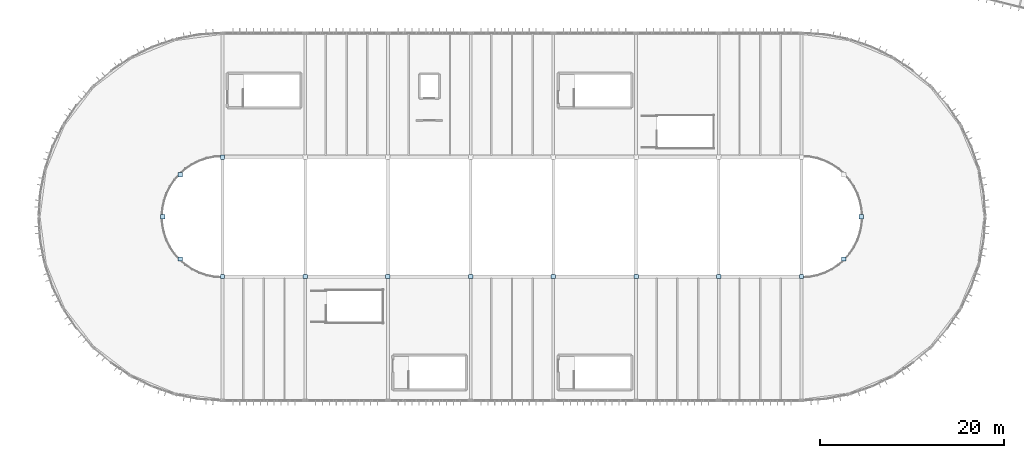
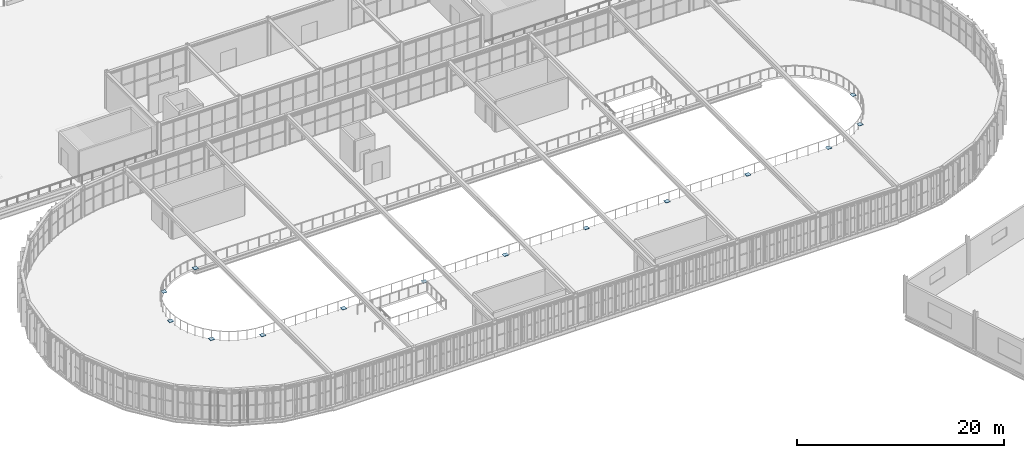
# One storey, part 117 of 152: 14 plates.
"""IFC4 building model written with IfcOpenShell, lengths in metres."""

import ifcopenshell
import ifcopenshell.guid

model = None  # the IFC model being written
_history = None  # IfcOwnerHistory: only IFC2X3 demands one
_inside = {}  # id of a spatial element -> (the spatial element, [elements in it])
_under = {}  # id of a project, library or spatial element -> (it, [spatial elements below it])
_declared = {}  # id of a project -> (the project, [libraries it declares])
_typed = {}  # id of a type object -> (the type object, [elements of that type])
_made_of = {}  # id of a material, layer set ... -> (it, [elements and type objects made of it])


def new_model(schema):
    """Start an empty IFC model of exactly this schema.

    Asked for "IFC4X3", IfcOpenShell would pick the latest addendum, in which some entities
    have other attributes; the version numbers below select the first issue.
    IFC2X3 requires an IfcOwnerHistory on every rooted entity: one is made here for all.
    """
    global model, _history
    if schema == "IFC4X3":
        model = ifcopenshell.file(schema_version=(4, 3, 0, 0))
    else:
        model = ifcopenshell.file(schema=schema)
    _inside.clear()
    _under.clear()
    _declared.clear()
    _typed.clear()
    _made_of.clear()
    _history = None
    if model.schema == "IFC2X3":
        org = make("IfcOrganization", Name="unknown")
        user = make(
            "IfcPersonAndOrganization",
            ThePerson=make("IfcPerson", FamilyName="unknown"),
            TheOrganization=org,
        )
        app = make(
            "IfcApplication",
            ApplicationDeveloper=org,
            Version="unknown",
            ApplicationFullName="unknown",
            ApplicationIdentifier="unknown",
        )
        _history = make(
            "IfcOwnerHistory",
            OwningUser=user,
            OwningApplication=app,
            ChangeAction="ADDED",
            CreationDate=0,
        )
    return model


def make(cls, **values):
    """One entity of the class cls with the attributes given. An attribute that is None is left unset."""
    return model.create_entity(
        cls, **{name: value for name, value in values.items() if value is not None}
    )


def rooted(cls, **values):
    """An entity with a GlobalId (a new one), such as an element, a storey or a relation."""
    return make(cls, GlobalId=ifcopenshell.guid.new(), OwnerHistory=_history, **values)


def si_unit(unit_type, name, prefix=None):
    """IfcSIUnit, for example si_unit("LENGTHUNIT", "METRE", prefix="MILLI")."""
    return make("IfcSIUnit", UnitType=unit_type, Prefix=prefix, Name=name)


def derived_unit(unit_type, elements):
    """IfcDerivedUnit: a product of units, each with its exponent."""
    return make(
        "IfcDerivedUnit",
        Elements=[
            make("IfcDerivedUnitElement", Unit=unit, Exponent=power)
            for unit, power in elements
        ],
        UnitType=unit_type,
    )


def assignment(units):
    """IfcUnitAssignment: the units of a project."""
    return None if units is None else make("IfcUnitAssignment", Units=units)


def point(xyz):
    """IfcCartesianPoint."""
    return None if xyz is None else make("IfcCartesianPoint", Coordinates=xyz)


def direction(xyz):
    """IfcDirection."""
    return None if xyz is None else make("IfcDirection", DirectionRatios=xyz)


def frame(location, z_axis=None, x_axis=None):
    """IfcAxis2Placement3D, a coordinate frame: its origin and axes. An axis left out is left unset."""
    return make(
        "IfcAxis2Placement3D",
        Location=point(location),
        Axis=direction(z_axis),
        RefDirection=direction(x_axis),
    )


def frame_2d(location, x_axis=None):
    """IfcAxis2Placement2D, a coordinate frame in the plane: its origin and x axis."""
    return make(
        "IfcAxis2Placement2D", Location=point(location), RefDirection=direction(x_axis)
    )


def origin():
    """The frame at (0, 0, 0) with its axes left unset."""
    return frame((0.0, 0.0, 0.0))


def origin_2d():
    """The frame at (0, 0) in the plane with its x axis left unset."""
    return frame_2d((0.0, 0.0))


def place(relative_to, where):
    """IfcLocalPlacement: puts the frame where relative to a parent placement (None: the world)."""
    return make(
        "IfcLocalPlacement", PlacementRelTo=relative_to, RelativePlacement=where
    )


def context(
    kind, dimensions, precision=None, world=None, true_north=None, identifier=None
):
    """IfcGeometricRepresentationContext, for example the 3D "Model" context."""
    return make(
        "IfcGeometricRepresentationContext",
        ContextIdentifier=identifier,
        ContextType=kind,
        CoordinateSpaceDimension=dimensions,
        Precision=precision,
        WorldCoordinateSystem=world,
        TrueNorth=true_north,
    )


def subcontext(parent, identifier, kind, view, scale=None):
    """IfcGeometricRepresentationSubContext, for example "Body" below "Model"."""
    return make(
        "IfcGeometricRepresentationSubContext",
        ContextIdentifier=identifier,
        ContextType=kind,
        ParentContext=parent,
        TargetScale=scale,
        TargetView=view,
    )


def project(units=None, contexts=None):
    """IfcProject with its units and contexts."""
    return rooted(
        "IfcProject",
        Name="project",
        RepresentationContexts=contexts,
        UnitsInContext=assignment(units),
    )


def spatial(cls, under=None, at=None, **own):
    """A site, building, storey or space (cls), placed at a placement, below another one or the project."""
    s = rooted(cls, ObjectPlacement=at, **own)
    if under is not None:
        _under.setdefault(under.id(), (under, []))[1].append(s)
    return s


def profile(cls, at=None, kind="AREA", **sizes):
    """A parametric profile (cls). Its sizes go by their IFC names, for example OverallWidth=200.0."""
    return make(cls, ProfileType=kind, Position=at, **sizes)


def rectangle(**sizes):
    """IfcRectangleProfileDef."""
    return profile("IfcRectangleProfileDef", **sizes)


def extrude(swept, where, along, depth):
    """IfcExtrudedAreaSolid: the profile swept, set in the frame where, extruded along a direction by depth."""
    return make(
        "IfcExtrudedAreaSolid",
        SweptArea=swept,
        Position=where,
        ExtrudedDirection=direction(along),
        Depth=depth,
    )


def shape(context_of_items, identifier, shape_type, items):
    """IfcShapeRepresentation: the items that make up one representation, for example the "Body"."""
    return make(
        "IfcShapeRepresentation",
        ContextOfItems=context_of_items,
        RepresentationIdentifier=identifier,
        RepresentationType=shape_type,
        Items=items,
    )


def material(Name=None, Category=None):
    """IfcMaterial."""
    return make("IfcMaterial", Name=Name, Category=Category)


def layer(
    of_material, thickness, ventilated=None, Name=None, Category=None, Priority=None
):
    """IfcMaterialLayer: one layer of a wall or slab, of a material (None: an air gap)."""
    return make(
        "IfcMaterialLayer",
        Material=of_material,
        LayerThickness=thickness,
        IsVentilated=ventilated,
        Name=Name,
        Category=Category,
        Priority=Priority,
    )


def layer_set(layers, Name=None):
    """IfcMaterialLayerSet."""
    return make("IfcMaterialLayerSet", MaterialLayers=layers, LayerSetName=Name)


def made_of(thing, what):
    """Note that an element or type object is made of a material, layer set ...; save() writes the relation."""
    if what is not None:
        _made_of.setdefault(what.id(), (what, []))[1].append(thing)
    return thing


def type_object(cls, material=None, **own):
    """A type object (cls), such as IfcWallType, which elements share."""
    return made_of(rooted(cls, **own), material)


def element(
    cls,
    number,
    at=None,
    inside=None,
    cuts=None,
    type_object=None,
    material=None,
    context=None,
    identifier="Body",
    shape_type=None,
    held_by="IfcProductDefinitionShape",
    body=None,
    shapes=None,
    **own,
):
    """One element of the class cls, such as IfcWall. Its Tag is "e" and its number.

    at: its placement. inside: the storey or other place that contains it. cuts: it is an
    opening in that element (IfcRelVoidsElement). A single representation is given by context,
    identifier, shape_type and body (its items); several are given by shapes. held_by: the class
    of the entity that holds the representations. save() writes the other relations.
    """
    e = rooted(cls, Tag="e%d" % number, ObjectPlacement=at, **own)
    if body is not None:
        shapes = [shape(context, identifier, shape_type, body)]
    if shapes is not None:
        e.Representation = make(held_by, Representations=shapes)
    if inside is not None:
        _inside.setdefault(inside.id(), (inside, []))[1].append(e)
    if cuts is not None:
        rooted(
            "IfcRelVoidsElement", RelatingBuildingElement=cuts, RelatedOpeningElement=e
        )
    if type_object is not None:
        _typed.setdefault(type_object.id(), (type_object, []))[1].append(e)
    return made_of(e, material)


def aggregate(whole, parts):
    """IfcRelAggregates: a whole, such as a stair, and the parts it consists of."""
    return rooted("IfcRelAggregates", RelatingObject=whole, RelatedObjects=parts)


def save(model, path):
    """Write the relations noted so far, then the file.

    IfcRelAggregates (storeys below a building ...), IfcRelContainedInSpatialStructure (elements
    in a storey), IfcRelDefinesByType, IfcRelAssociatesMaterial and IfcRelDeclares: one each for
    every whole, place, type object, material and project.
    """
    for whole, parts in _under.values():
        aggregate(whole, parts)
    for where, things in _inside.values():
        rooted(
            "IfcRelContainedInSpatialStructure",
            RelatedElements=things,
            RelatingStructure=where,
        )
    for kind, things in _typed.values():
        rooted("IfcRelDefinesByType", RelatedObjects=things, RelatingType=kind)
    for what, things in _made_of.values():
        rooted("IfcRelAssociatesMaterial", RelatedObjects=things, RelatingMaterial=what)
    for by, libraries in _declared.values():
        rooted("IfcRelDeclares", RelatingContext=by, RelatedDefinitions=libraries)
    model.write(path)


model = new_model("IFC4")

# Units and contexts
model_context = context("Model", 3, precision=1e-05, world=origin(), true_north=direction((0.0, 1.0)))
body_context = subcontext(model_context, "Body", "Model", "MODEL_VIEW")
ifc_project = project(units=[si_unit("LENGTHUNIT", "METRE"), si_unit("AREAUNIT", "SQUARE_METRE"), si_unit("VOLUMEUNIT", "CUBIC_METRE"), si_unit("PLANEANGLEUNIT", "RADIAN"), si_unit("MASSUNIT", "GRAM", prefix="KILO"), si_unit("THERMODYNAMICTEMPERATUREUNIT", "KELVIN"), si_unit("TIMEUNIT", "SECOND"), derived_unit("THERMALTRANSMITTANCEUNIT", [(si_unit("MASSUNIT", "GRAM", prefix="KILO"), 1), (si_unit("THERMODYNAMICTEMPERATUREUNIT", "KELVIN"), -1), (si_unit("TIMEUNIT", "SECOND"), -3)])], contexts=[model_context])

# Site, building, storey
site_placement = place(None, origin())
site = spatial("IfcSite", under=ifc_project, at=site_placement, CompositionType="ELEMENT")
building_placement = place(site_placement, origin())
building = spatial("IfcBuilding", under=site, at=building_placement, Name="Cambertide Market Hall", CompositionType="ELEMENT")
storey_placement = place(building_placement, frame((0.0, 0.0, 5.39990234375)))
storey = spatial("IfcBuildingStorey", under=building, at=storey_placement, Name="L02", CompositionType="ELEMENT", Elevation=5.39990234375)

# Plates
ifc_material = material(Name="Steel S355", Category="steel")
ifc_layer = layer(ifc_material, 0.02197265625, Name="Steel End Cap Plate EC-01")
ifc_layer_set = layer_set([ifc_layer], Name="Steel S355")
plate_type = type_object("IfcPlateType", Name="Steel End Cap Plate EC-01", PredefinedType="USERDEFINED", material=ifc_layer_set)
for number, where, z_axis, x_axis, name in (
    (1, (42.0, 65.5, 0.0), (0.0, 0.0, 1.0), (1.0, 0.0, 0.0), "Level 2 Mezzanine Column End Cap Plate V1-MS1"),
    (2, (42.0, 78.5, 0.0), (0.0, 0.0, 1.0), (1.0, 0.0, 0.0), "Level 2 Mezzanine Column End Cap Plate V1-MN1"),
    (3, (51.0, 65.5, 0.0), (0.0, 0.0, 1.0), (1.0, 0.0, 0.0), "Level 2 Mezzanine Column End Cap Plate V1-MS2"),
    (4, (60.0, 65.5, 0.0), (0.0, 0.0, 1.0), (1.0, 0.0, 0.0), "Level 2 Mezzanine Column End Cap Plate V1-MS3"),
    (5, (69.0, 65.5, 0.0), (0.0, 0.0, 1.0), (1.0, 0.0, 0.0), "Level 2 Mezzanine Column End Cap Plate V1-MS4"),
    (6, (78.0, 65.5, 0.0), (0.0, 0.0, 1.0), (1.0, 0.0, 0.0), "Level 2 Mezzanine Column End Cap Plate V1-MS5"),
    (7, (87.0, 65.5, 0.0), (0.0, 0.0, 1.0), (1.0, 0.0, 0.0), "Level 2 Mezzanine Column End Cap Plate V1-MS6"),
    (8, (96.0, 65.5, 0.0), (0.0, 0.0, 1.0), (1.0, 0.0, 0.0), "Level 2 Mezzanine Column End Cap Plate V1-MS7"),
    (9, (105.0, 65.5, 0.0), (0.0, 0.0, 1.0), (1.0, 0.0, 0.0), "Level 2 Mezzanine Column End Cap Plate V1-MS8"),
    (10, (37.40380859375, 76.59619140625, 0.0), (0.0, 0.0, 1.0), (1.0, 0.0, 0.0), "Level 2 Mezzanine Column End Cap Plate V1-MW06"),
    (11, (35.5, 72.0, 0.0), (0.0, 0.0, 1.0), (1.0, 0.0, 0.0), "Level 2 Mezzanine Column End Cap Plate V1-MW12"),
    (12, (37.40380859375, 67.40380859375, 0.0), (0.0, 0.0, 1.0), (1.0, 0.0, 0.0), "Level 2 Mezzanine Column End Cap Plate V1-MW18"),
    (13, (109.59619140625, 67.40380859375, 0.0), (0.0, 0.0, 1.0), (1.0, 0.0, 0.0), "Level 2 Mezzanine Column End Cap Plate V1-ME06"),
    (14, (111.5, 72.0, 0.0), (0.0, 0.0, 1.0), (1.0, 0.0, 0.0), "Level 2 Mezzanine Column End Cap Plate V1-ME12"),
):
    element("IfcPlate", number, at=place(storey_placement, frame(where, z_axis=z_axis, x_axis=x_axis)), inside=storey, type_object=plate_type, Name=name, ObjectType="END CAP PLATE", PredefinedType="USERDEFINED", context=body_context, shape_type="SweptSolid", body=[
        extrude(rectangle(XDim=0.47998046875, YDim=0.47998046875, at=origin_2d()), origin(), (0.0, 0.0, 1.0), 0.02197265625),
    ])

save(model, "model.ifc")
